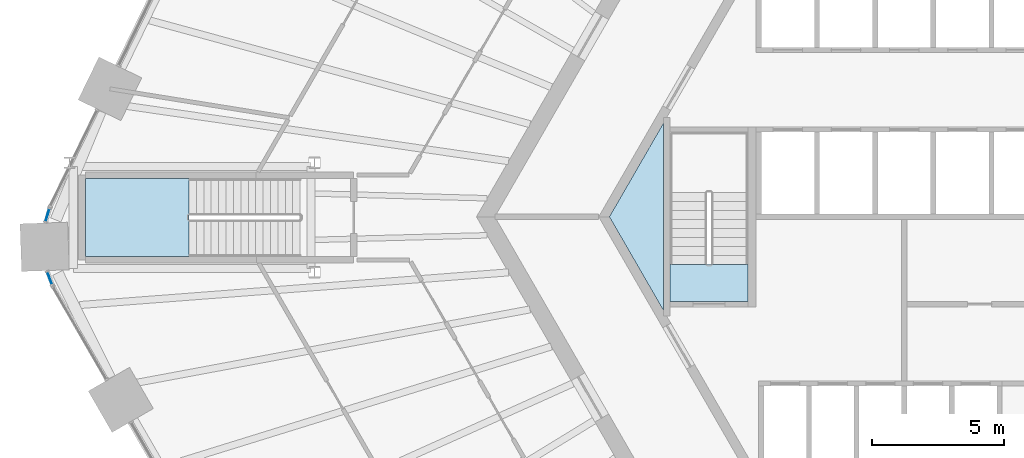
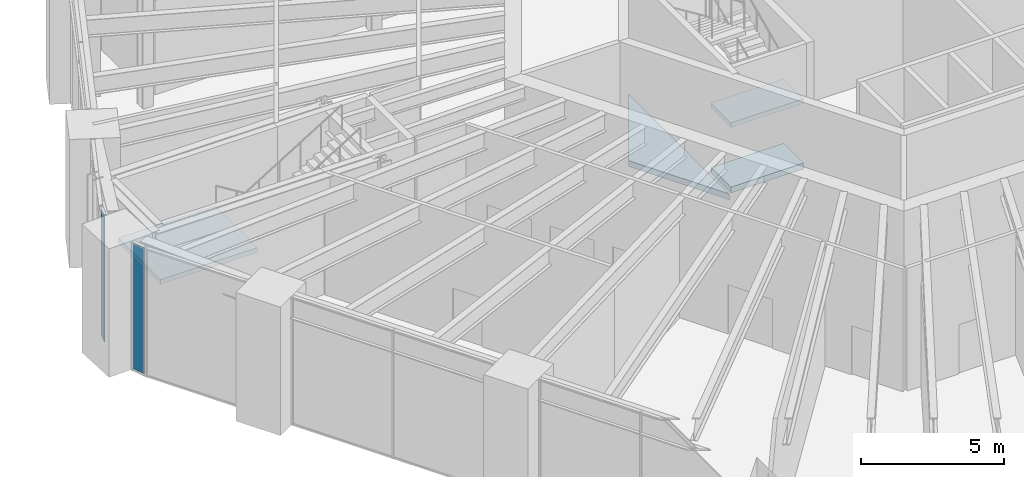
# One storey, part 15 of 30: 4 slabs, 2 plates, 4 elements without a shape of their own.
"""IFC4 building model written with IfcOpenShell, lengths in metres."""

from ifc_helpers import new_model, si_unit, direction, frame, origin, origin_2d, place, context, subcontext, project, spatial, polyline, rectangle, outline, extrude, material, layer, layer_set, type_object, element, aggregate, save


model = new_model("IFC4")

# Units and contexts
model_context = context("Model", 3, precision=1e-05, world=origin(), true_north=direction((0.0, 1.0)))
body_context = subcontext(model_context, "Body", "Model", "MODEL_VIEW")
ifc_project = project(units=[si_unit("LENGTHUNIT", "METRE"), si_unit("AREAUNIT", "SQUARE_METRE"), si_unit("VOLUMEUNIT", "CUBIC_METRE"), si_unit("PLANEANGLEUNIT", "RADIAN"), si_unit("MASSUNIT", "GRAM", prefix="KILO")], contexts=[model_context])

# Site, building, storey
site_placement = place(None, origin())
site = spatial("IfcSite", under=ifc_project, at=site_placement, CompositionType="ELEMENT")
building_placement = place(site_placement, origin())
building = spatial("IfcBuilding", under=site, at=building_placement, Name="Tarnside Tower", CompositionType="ELEMENT")
storey_placement = place(building_placement, frame((0.0, 0.0, 20.5)))
storey = spatial("IfcBuildingStorey", under=building, at=storey_placement, Name="L03", CompositionType="ELEMENT", Elevation=20.5)

# Slabs
ifc_material_1 = material(Name="Concrete C40/50", Category="concrete")
ifc_layer_1 = layer(ifc_material_1, 0.25)
ifc_layer_set_1 = layer_set([ifc_layer_1], Name="Core slab C40/50")
slab_type_1 = type_object("IfcSlabType", Name="Core slab C40/50", PredefinedType="FLOOR", material=ifc_layer_set_1)
slab_1_placement = place(storey_placement, frame((0.0, 0.0, -0.25)))
element("IfcSlab", 1, at=slab_1_placement, inside=storey, type_object=slab_type_1, Name="L03 core floor slab 4", PredefinedType="FLOOR", context=body_context, shape_type="SweptSolid", body=[
    extrude(outline(polyline([(-11.142822265625, 0.0), (-9.10009765625, 3.538330078125), (-9.10009765625, -3.538330078125), (-11.142822265625, 0.0)])), origin(), (0.0, 0.0, 1.0), 0.25),
])
slab_2_placement = place(storey_placement, frame((0.0, 0.0, -0.25)))
element("IfcSlab", 2, at=slab_2_placement, inside=storey, type_object=slab_type_1, Name="L03 core floor slab 5", PredefinedType="FLOOR", context=body_context, shape_type="SweptSolid", body=[
    extrude(outline(polyline([(-8.85009765625, -1.800048828125), (-5.89990234375, -1.800048828125), (-5.89990234375, -3.199951171875), (-8.85009765625, -3.199951171875), (-8.85009765625, -1.800048828125)])), origin(), (0.0, 0.0, 1.0), 0.25),
])

# Stair, slab
stair_type_1 = type_object("IfcStairType", Name="Podium exit stair 1400 clear", PredefinedType="HALF_TURN_STAIR", material=ifc_material_1)
stair_1_placement = place(storey_placement, origin())
stair_1 = element("IfcStair", 3, at=stair_1_placement, inside=storey, type_object=stair_type_1, Name="L03 Podium exit stair 2", PredefinedType="HALF_TURN_STAIR")
ifc_layer_2 = layer(ifc_material_1, 0.199951171875)
ifc_layer_set_2 = layer_set([ifc_layer_2], Name="Podium stair landing 200 C40/50")
slab_type_2 = type_object("IfcSlabType", Name="Podium stair landing 200 C40/50", PredefinedType="LANDING", material=ifc_layer_set_2)
slab_3_placement = place(storey_placement, frame((0.0, 0.0, 2.550048828125)))
slab_3 = element("IfcSlab", 4, at=slab_3_placement, type_object=slab_type_2, Name="PS2 landing 1", PredefinedType="LANDING", context=body_context, shape_type="SweptSolid", body=[
    extrude(outline(polyline([(-27.030029296875, 1.449951171875), (-30.949951171875, 1.449951171875), (-30.949951171875, -1.5), (-27.030029296875, -1.5), (-27.030029296875, 1.449951171875)])), origin(), (0.0, 0.0, 1.0), 0.199951171875),
])
aggregate(stair_1, [slab_3])

# Curtain wall, plate
ifc_material_2 = material(Name="Retail shopfront glazing wall", Category="glass")
curtain_wall_type = type_object("IfcCurtainWallType", Name="Retail shopfront glazing wall", PredefinedType="NOTDEFINED", material=ifc_material_2)
curtain_wall_1_placement = place(storey_placement, origin())
curtain_wall_1 = element("IfcCurtainWall", 5, at=curtain_wall_1_placement, inside=storey, type_object=curtain_wall_type, Name="Retail shopfront glazing L03 06.1", PredefinedType="NOTDEFINED")
ifc_material_3 = material(Name="Low-iron safety glass", Category="glass")
ifc_layer_3 = layer(ifc_material_3, 0.028076171875)
ifc_layer_set_3 = layer_set([ifc_layer_3], Name="Retail shopfront glazing panel 28")
plate_type = type_object("IfcPlateType", Name="Retail shopfront glazing panel 28", PredefinedType="CURTAIN_PANEL", material=ifc_layer_set_3)
plate_1_placement = place(storey_placement, frame((-32.37890625, 0.062744140625, -0.18994140625), z_axis=(0.0, 0.0, 1.0), x_axis=(-0.286803231262, -0.957989512749, 0.0)))
plate_1 = element("IfcPlate", 6, at=plate_1_placement, type_object=plate_type, Name="CW2 panel 1.1", PredefinedType="CURTAIN_PANEL", context=body_context, shape_type="SweptSolid", body=[
    extrude(rectangle(XDim=0.48828125, YDim=0.028076171875, at=origin_2d()), origin(), (0.0, 0.0, 1.0), 5.3798828125),
])
aggregate(curtain_wall_1, [plate_1])

curtain_wall_2_placement = place(storey_placement, origin())
curtain_wall_2 = element("IfcCurtainWall", 7, at=curtain_wall_2_placement, inside=storey, type_object=curtain_wall_type, Name="Retail shopfront glazing L03 07.0", PredefinedType="NOTDEFINED")
plate_2_placement = place(storey_placement, frame((-32.295654296875, -2.3212890625, -0.18994140625), z_axis=(0.0, 0.0, 1.0), x_axis=(0.352930563788, -0.935649516189, 0.0)))
plate_2 = element("IfcPlate", 8, at=plate_2_placement, type_object=plate_type, Name="CW2 panel 1.1", PredefinedType="CURTAIN_PANEL", context=body_context, shape_type="SweptSolid", body=[
    extrude(rectangle(XDim=0.48828125, YDim=0.028076171875, at=origin_2d()), origin(), (0.0, 0.0, 1.0), 5.3798828125),
])
aggregate(curtain_wall_2, [plate_2])

# Stair, slab
stair_type_2 = type_object("IfcStairType", Name="Exit stair 1400 clear", PredefinedType="HALF_TURN_STAIR", material=ifc_material_1)
stair_2_placement = place(storey_placement, origin())
stair_2 = element("IfcStair", 9, at=stair_2_placement, inside=storey, type_object=stair_type_2, Name="L03 Exit stair 2", PredefinedType="HALF_TURN_STAIR")
ifc_layer_4 = layer(ifc_material_1, 0.199951171875)
ifc_layer_set_4 = layer_set([ifc_layer_4], Name="Stair landing 200 C40/50")
slab_type_3 = type_object("IfcSlabType", Name="Stair landing 200 C40/50", PredefinedType="LANDING", material=ifc_layer_set_4)
slab_4_placement = place(storey_placement, frame((0.0, 0.0, 2.550048828125)))
slab_4 = element("IfcSlab", 10, at=slab_4_placement, type_object=slab_type_3, Name="ST2 landing 2", PredefinedType="LANDING", context=body_context, shape_type="SweptSolid", body=[
    extrude(outline(polyline([(-5.89990234375, -3.199951171875), (-5.89990234375, -1.800048828125), (-8.85009765625, -1.800048828125), (-8.85009765625, -3.199951171875), (-5.89990234375, -3.199951171875)])), origin(), (0.0, 0.0, 1.0), 0.199951171875),
])
aggregate(stair_2, [slab_4])

save(model, "model.ifc")
